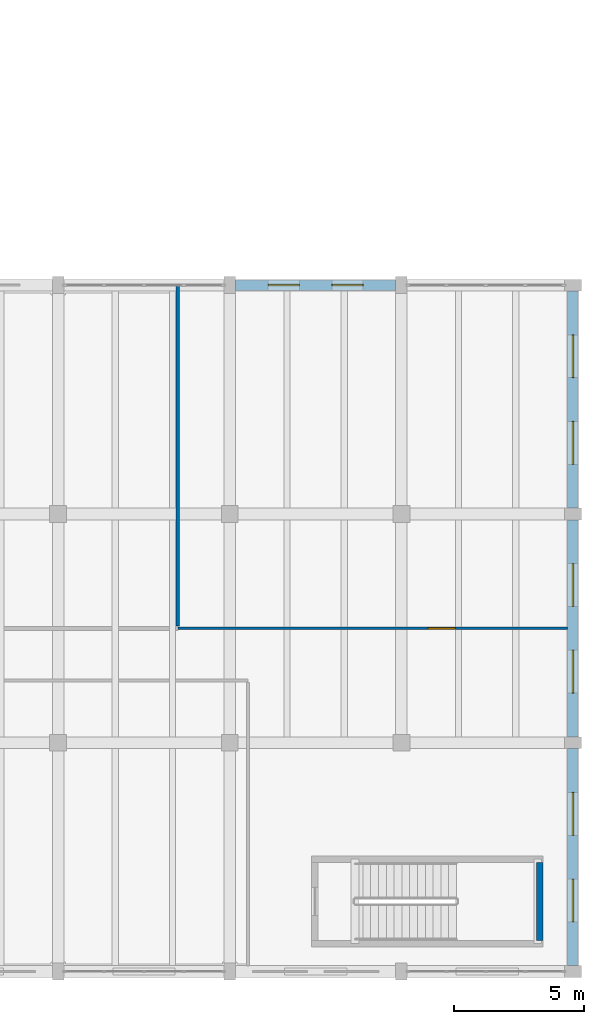
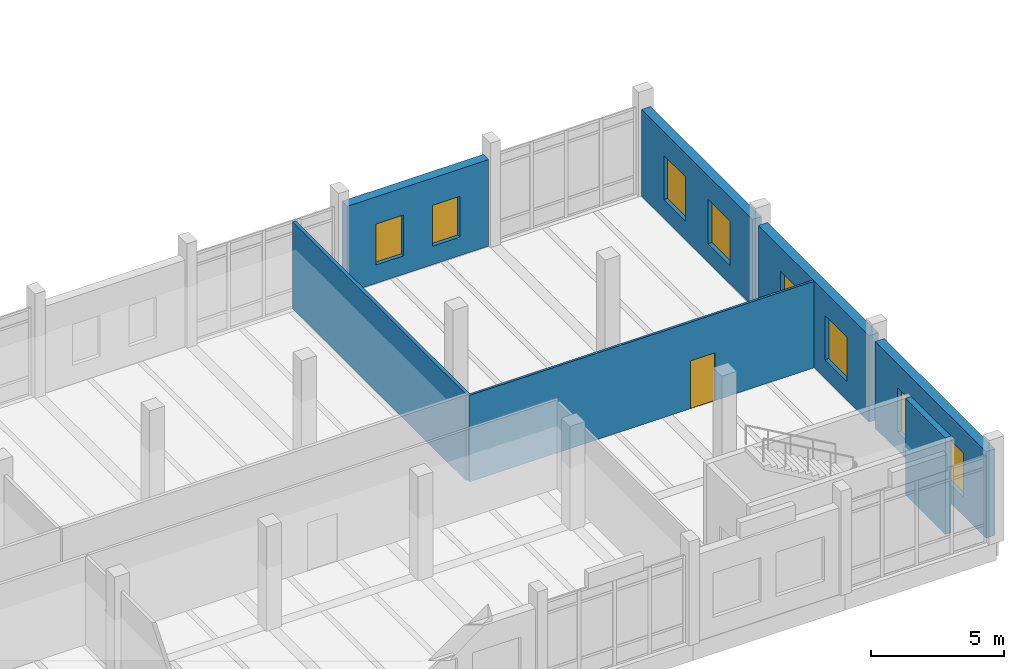
# One storey, part 76 of 101: 8 windows, 7 walls, 1 door, 9 openings.
"""IFC4 building model written with IfcOpenShell, lengths in metres."""

from ifc_helpers import new_model, si_unit, direction, frame, frame_2d, origin, place, context, subcontext, project, spatial, rectangle, extrude, material, layer, layer_set, type_object, element, fill, save


model = new_model("IFC4")

# Units and contexts
model_context = context("Model", 3, precision=1e-05, world=origin(), true_north=direction((0.0, 1.0)))
body_context = subcontext(model_context, "Body", "Model", "MODEL_VIEW")
ifc_project = project(units=[si_unit("LENGTHUNIT", "METRE"), si_unit("AREAUNIT", "SQUARE_METRE"), si_unit("VOLUMEUNIT", "CUBIC_METRE"), si_unit("PLANEANGLEUNIT", "RADIAN"), si_unit("MASSUNIT", "GRAM", prefix="KILO")], contexts=[model_context])

# Site, building, storey
site_placement = place(None, origin())
site = spatial("IfcSite", under=ifc_project, at=site_placement, CompositionType="ELEMENT")
building_placement = place(site_placement, origin())
building = spatial("IfcBuilding", under=site, at=building_placement, Name="Dornvale Research Institute", CompositionType="ELEMENT")
storey_placement = place(building_placement, frame((0.0, 0.0, 10.199951171875)))
storey = spatial("IfcBuildingStorey", under=building, at=storey_placement, Name="L02", CompositionType="ELEMENT", Elevation=10.199951171875)

# Wall
ifc_material_1 = material(Name="Acoustic Insulated Double-Stud Laboratory Partition")
ifc_layer_1 = layer(ifc_material_1, 0.14990234375)
ifc_layer_set_1 = layer_set([ifc_layer_1], Name="Acoustic Insulated Double-Stud Laboratory Partition")
wall_type_1 = type_object("IfcWallType", Name="Partition_Lab_150", PredefinedType="PARTITIONING", material=ifc_layer_set_1)
wall_1_placement = place(storey_placement, frame((163.0, 13.2900390625, 0.0), z_axis=(0.0, 0.0, 1.0), x_axis=(0.0, 1.0, 0.0)))
element("IfcWall", 1, at=wall_1_placement, inside=storey, type_object=wall_type_1, Name="L02 V3 interior partition #300", PredefinedType="PARTITIONING", context=body_context, shape_type="SweptSolid", body=[
    extrude(rectangle(XDim=13.070068359375, YDim=0.14990234375, at=frame_2d((6.53515625, 0.0))), origin(), (0.0, 0.0, 1.0), 3.97998046875),
])

# Wall, opening, door
ifc_material_2 = material(Name="Acoustic Insulated Double-Stud Laboratory Partition")
ifc_layer_2 = layer(ifc_material_2, 0.10009765625)
ifc_layer_set_2 = layer_set([ifc_layer_2], Name="Acoustic Insulated Double-Stud Laboratory Partition")
wall_type_2 = type_object("IfcWallType", Name="Partition_Office_100", PredefinedType="PARTITIONING", material=ifc_layer_set_2)
wall_2_placement = place(storey_placement, frame((163.014892578125, 13.199951171875, 0.0), z_axis=(0.0, 0.0, 1.0), x_axis=(1.0, 0.0, 0.0)))
wall_2 = element("IfcWall", 2, at=wall_2_placement, inside=storey, type_object=wall_type_2, Name="L02 V3 interior partition #301", PredefinedType="PARTITIONING", context=body_context, shape_type="SweptSolid", body=[
    extrude(rectangle(XDim=14.97021484375, YDim=0.10009765625, at=frame_2d((7.485107421875, 0.0))), origin(), (0.0, 0.0, 1.0), 3.97998046875),
])
opening_1_placement = place(wall_2_placement, frame((9.60498046875, 0.0, 0.0)))
opening_1 = element("IfcOpeningElement", 3, at=opening_1_placement, cuts=wall_2, Name="Opening ID-19", PredefinedType="OPENING", context=body_context, shape_type="SweptSolid", body=[
    extrude(rectangle(XDim=1.06005859375, YDim=2.199951171875, at=frame_2d((0.530029296875, 1.10009765625))), frame((0.0, 0.06494140625, 0.0), z_axis=(0.0, -1.0, 0.0), x_axis=(1.0, 0.0, 0.0)), (0.0, 0.0, 1.0), 0.130126953125),
])
ifc_material_3 = material(Name="Phenolic-Faced Solid-Core Laboratory Door Assembly")
door_type = type_object("IfcDoorType", Name="Door_WriteUp_1060x2200", OperationType="SINGLE_SWING_LEFT", PredefinedType="DOOR", material=ifc_material_3)
door_placement = place(opening_1_placement, origin())
door = element("IfcDoor", 4, at=door_placement, inside=storey, type_object=door_type, Name="L02 Nanofabrication Seminar and Write-Up Room L02 door #121", OperationType="SINGLE_SWING_RIGHT", OverallHeight=2.199951171875, OverallWidth=1.06005859375, PredefinedType="DOOR", context=body_context, shape_type="SweptSolid", body=[
    extrude(rectangle(XDim=1.06005859375, YDim=2.199951171875, at=frame_2d((0.530029296875, 1.10009765625))), frame((0.0, 0.02490234375, 0.0), z_axis=(0.0, -1.0, 0.0), x_axis=(1.0, 0.0, 0.0)), (0.0, 0.0, 1.0), 0.050048828125),
])
fill(opening_1, door)

# Wall
ifc_material_4 = material(Name="Concrete f'c 45 MPa (C35/45)", Category="concrete")
ifc_layer_3 = layer(ifc_material_4, 0.25)
ifc_layer_set_3 = layer_set([ifc_layer_3], Name="Concrete f'c 45 MPa (C35/45)")
wall_type_3 = type_object("IfcWallType", Name="ShearWall_Core_250", PredefinedType="SHEAR", material=ifc_layer_set_3)
wall_3_placement = place(storey_placement, frame((176.925048828125, 1.199951171875, 0.0), z_axis=(0.0, 0.0, 1.0), x_axis=(0.0, 1.0, 0.0)))
element("IfcWall", 5, at=wall_3_placement, inside=storey, type_object=wall_type_3, Name="L02 ST-6 shaft shear wall east", PredefinedType="SHEAR", context=body_context, shape_type="SweptSolid", body=[
    extrude(rectangle(XDim=3.0, YDim=0.25, at=frame_2d((1.5, 0.0))), origin(), (0.0, 0.0, 1.0), 4.43994140625),
])

# Wall, openings, windows
ifc_material_5 = material(Name="Precast Concrete f'c 40 MPa (C32/40) and Glazed Terracotta Backup Wall", Category="masonry")
ifc_layer_4 = layer(ifc_material_5, 0.39990234375)
ifc_layer_set_4 = layer_set([ifc_layer_4], Name="Precast Concrete f'c 40 MPa (C32/40) and Glazed Terracotta Backup Wall")
wall_type_4 = type_object("IfcWallType", Name="StandardWall_CleanroomExt_400", PredefinedType="STANDARD", material=ifc_layer_set_4)
wall_4_placement = place(storey_placement, frame((165.22509765625, 26.39990234375, 0.0), z_axis=(0.0, 0.0, 1.0), x_axis=(1.0, 0.0, 0.0)))
wall_4 = element("IfcWall", 6, at=wall_4_placement, inside=storey, type_object=wall_type_4, Name="L02 V3 north exterior wall #156", PredefinedType="STANDARD", context=body_context, shape_type="SweptSolid", body=[
    extrude(rectangle(XDim=6.14990234375, YDim=0.39990234375, at=frame_2d((3.074951171875, 0.0))), origin(), (0.0, 0.0, 1.0), 3.97998046875),
])
opening_2_placement = place(wall_4_placement, frame((1.25, 0.0, 0.85009765625)))
opening_2 = element("IfcOpeningElement", 7, at=opening_2_placement, cuts=wall_4, Name="Opening W-25", PredefinedType="OPENING", context=body_context, shape_type="SweptSolid", body=[
    extrude(rectangle(XDim=1.199951171875, YDim=1.8798828125, at=frame_2d((0.60009765625, 0.93994140625))), frame((0.0, 0.21484375, 0.0), z_axis=(0.0, -1.0, 0.0), x_axis=(1.0, 0.0, 0.0)), (0.0, 0.0, 1.0), 0.429931640625),
])
opening_3_placement = place(wall_4_placement, frame((3.699951171875, 0.0, 0.85009765625)))
opening_3 = element("IfcOpeningElement", 8, at=opening_3_placement, cuts=wall_4, Name="Opening W-25", PredefinedType="OPENING", context=body_context, shape_type="SweptSolid", body=[
    extrude(rectangle(XDim=1.199951171875, YDim=1.8798828125, at=frame_2d((0.60009765625, 0.93994140625))), frame((0.0, 0.21484375, 0.0), z_axis=(0.0, -1.0, 0.0), x_axis=(1.0, 0.0, 0.0)), (0.0, 0.0, 1.0), 0.429931640625),
])
ifc_material_6 = material(Name="Low-E Argon Double Insulating Glazing Unit", Category="glass")
window_type_1 = type_object("IfcWindowType", Name="Window_Alu_1200x1880_25", PartitioningType="SINGLE_PANEL", PredefinedType="WINDOW", material=ifc_material_6)
window_1_placement = place(opening_2_placement, origin())
window_1 = element("IfcWindow", 9, at=window_1_placement, inside=storey, type_object=window_type_1, Name="L02 V3 facade window W-25 #202", OverallHeight=1.8798828125, OverallWidth=1.199951171875, PartitioningType="SINGLE_PANEL", PredefinedType="WINDOW", context=body_context, shape_type="SweptSolid", body=[
    extrude(rectangle(XDim=1.199951171875, YDim=1.8798828125, at=frame_2d((0.60009765625, 0.93994140625))), frame((0.0, 0.030029296875, 0.0), z_axis=(0.0, -1.0, 0.0), x_axis=(1.0, 0.0, 0.0)), (0.0, 0.0, 1.0), 0.06005859375),
])
fill(opening_2, window_1)
window_2_placement = place(opening_3_placement, origin())
window_2 = element("IfcWindow", 10, at=window_2_placement, inside=storey, type_object=window_type_1, Name="L02 V3 facade window W-25 #203", OverallHeight=1.8798828125, OverallWidth=1.199951171875, PartitioningType="SINGLE_PANEL", PredefinedType="WINDOW", context=body_context, shape_type="SweptSolid", body=[
    extrude(rectangle(XDim=1.199951171875, YDim=1.8798828125, at=frame_2d((0.60009765625, 0.93994140625))), frame((0.0, 0.030029296875, 0.0), z_axis=(0.0, -1.0, 0.0), x_axis=(1.0, 0.0, 0.0)), (0.0, 0.0, 1.0), 0.06005859375),
])
fill(opening_3, window_2)

wall_5_placement = place(storey_placement, frame((178.199951171875, 26.175048828125, 0.0), z_axis=(0.0, 0.0, 1.0), x_axis=(0.0, -1.0, 0.0)))
wall_5 = element("IfcWall", 11, at=wall_5_placement, inside=storey, type_object=wall_type_4, Name="L02 V3 east exterior wall #157", PredefinedType="STANDARD", context=body_context, shape_type="SweptSolid", body=[
    extrude(rectangle(XDim=8.35009765625, YDim=0.39990234375, at=frame_2d((4.175048828125, 0.0))), origin(), (0.0, 0.0, 1.0), 3.97998046875),
])
opening_4_placement = place(wall_5_placement, frame((1.683349609375, 0.0, 0.85009765625)))
opening_4 = element("IfcOpeningElement", 12, at=opening_4_placement, cuts=wall_5, Name="Opening W-28", PredefinedType="OPENING", context=body_context, shape_type="SweptSolid", body=[
    extrude(rectangle(XDim=1.64990234375, YDim=2.0400390625, at=frame_2d((0.824951171875, 1.02001953125))), frame((0.0, 0.21484375, 0.0), z_axis=(0.0, -1.0, 0.0), x_axis=(1.0, 0.0, 0.0)), (0.0, 0.0, 1.0), 0.429931640625),
])
opening_5_placement = place(wall_5_placement, frame((5.0166015625, 0.0, 0.85009765625)))
opening_5 = element("IfcOpeningElement", 13, at=opening_5_placement, cuts=wall_5, Name="Opening W-28", PredefinedType="OPENING", context=body_context, shape_type="SweptSolid", body=[
    extrude(rectangle(XDim=1.64990234375, YDim=2.0400390625, at=frame_2d((0.824951171875, 1.02001953125))), frame((0.0, 0.21484375, 0.0), z_axis=(0.0, -1.0, 0.0), x_axis=(1.0, 0.0, 0.0)), (0.0, 0.0, 1.0), 0.429931640625),
])
ifc_material_7 = material(Name="Low-E Argon Double Insulating Glazing Unit", Category="glass")
window_type_2 = type_object("IfcWindowType", Name="Window_Alu_1650x2040_28", PartitioningType="SINGLE_PANEL", PredefinedType="WINDOW", material=ifc_material_7)
window_3_placement = place(opening_4_placement, origin())
window_3 = element("IfcWindow", 14, at=window_3_placement, inside=storey, type_object=window_type_2, Name="L02 V3 facade window W-28 #204", OverallHeight=2.0400390625, OverallWidth=1.64990234375, PartitioningType="SINGLE_PANEL", PredefinedType="WINDOW", context=body_context, shape_type="SweptSolid", body=[
    extrude(rectangle(XDim=1.64990234375, YDim=2.0400390625, at=frame_2d((0.824951171875, 1.02001953125))), frame((0.0, 0.030029296875, 0.0), z_axis=(0.0, -1.0, 0.0), x_axis=(1.0, 0.0, 0.0)), (0.0, 0.0, 1.0), 0.06005859375),
])
fill(opening_4, window_3)
window_4_placement = place(opening_5_placement, origin())
window_4 = element("IfcWindow", 15, at=window_4_placement, inside=storey, type_object=window_type_2, Name="L02 V3 facade window W-28 #205", OverallHeight=2.0400390625, OverallWidth=1.64990234375, PartitioningType="SINGLE_PANEL", PredefinedType="WINDOW", context=body_context, shape_type="SweptSolid", body=[
    extrude(rectangle(XDim=1.64990234375, YDim=2.0400390625, at=frame_2d((0.824951171875, 1.02001953125))), frame((0.0, 0.030029296875, 0.0), z_axis=(0.0, -1.0, 0.0), x_axis=(1.0, 0.0, 0.0)), (0.0, 0.0, 1.0), 0.06005859375),
])
fill(opening_5, window_4)

wall_6_placement = place(storey_placement, frame((178.199951171875, 17.375, 0.0), z_axis=(0.0, 0.0, 1.0), x_axis=(0.0, -1.0, 0.0)))
wall_6 = element("IfcWall", 16, at=wall_6_placement, inside=storey, type_object=wall_type_4, Name="L02 V3 east exterior wall #158", PredefinedType="STANDARD", context=body_context, shape_type="SweptSolid", body=[
    extrude(rectangle(XDim=8.35009765625, YDim=0.39990234375, at=frame_2d((4.175048828125, 0.0))), origin(), (0.0, 0.0, 1.0), 3.97998046875),
])
opening_6_placement = place(wall_6_placement, frame((1.683349609375, 0.0, 0.85009765625)))
opening_6 = element("IfcOpeningElement", 17, at=opening_6_placement, cuts=wall_6, Name="Opening W-28", PredefinedType="OPENING", context=body_context, shape_type="SweptSolid", body=[
    extrude(rectangle(XDim=1.64990234375, YDim=2.0400390625, at=frame_2d((0.824951171875, 1.02001953125))), frame((0.0, 0.21484375, 0.0), z_axis=(0.0, -1.0, 0.0), x_axis=(1.0, 0.0, 0.0)), (0.0, 0.0, 1.0), 0.429931640625),
])
opening_7_placement = place(wall_6_placement, frame((5.0166015625, 0.0, 0.85009765625)))
opening_7 = element("IfcOpeningElement", 18, at=opening_7_placement, cuts=wall_6, Name="Opening W-28", PredefinedType="OPENING", context=body_context, shape_type="SweptSolid", body=[
    extrude(rectangle(XDim=1.64990234375, YDim=2.0400390625, at=frame_2d((0.824951171875, 1.02001953125))), frame((0.0, 0.21484375, 0.0), z_axis=(0.0, -1.0, 0.0), x_axis=(1.0, 0.0, 0.0)), (0.0, 0.0, 1.0), 0.429931640625),
])
window_5_placement = place(opening_6_placement, origin())
window_5 = element("IfcWindow", 19, at=window_5_placement, inside=storey, type_object=window_type_2, Name="L02 V3 facade window W-28 #206", OverallHeight=2.0400390625, OverallWidth=1.64990234375, PartitioningType="SINGLE_PANEL", PredefinedType="WINDOW", context=body_context, shape_type="SweptSolid", body=[
    extrude(rectangle(XDim=1.64990234375, YDim=2.0400390625, at=frame_2d((0.824951171875, 1.02001953125))), frame((0.0, 0.030029296875, 0.0), z_axis=(0.0, -1.0, 0.0), x_axis=(1.0, 0.0, 0.0)), (0.0, 0.0, 1.0), 0.06005859375),
])
fill(opening_6, window_5)
window_6_placement = place(opening_7_placement, origin())
window_6 = element("IfcWindow", 20, at=window_6_placement, inside=storey, type_object=window_type_2, Name="L02 V3 facade window W-28 #207", OverallHeight=2.0400390625, OverallWidth=1.64990234375, PartitioningType="SINGLE_PANEL", PredefinedType="WINDOW", context=body_context, shape_type="SweptSolid", body=[
    extrude(rectangle(XDim=1.64990234375, YDim=2.0400390625, at=frame_2d((0.824951171875, 1.02001953125))), frame((0.0, 0.030029296875, 0.0), z_axis=(0.0, -1.0, 0.0), x_axis=(1.0, 0.0, 0.0)), (0.0, 0.0, 1.0), 0.06005859375),
])
fill(opening_7, window_6)

wall_7_placement = place(storey_placement, frame((178.199951171875, 8.574951171875, 0.0), z_axis=(0.0, 0.0, 1.0), x_axis=(0.0, -1.0, 0.0)))
wall_7 = element("IfcWall", 21, at=wall_7_placement, inside=storey, type_object=wall_type_4, Name="L02 V3 east exterior wall #159", PredefinedType="STANDARD", context=body_context, shape_type="SweptSolid", body=[
    extrude(rectangle(XDim=8.349853515625, YDim=0.39990234375, at=frame_2d((4.1748046875, 0.0))), origin(), (0.0, 0.0, 1.0), 3.97998046875),
])
opening_8_placement = place(wall_7_placement, frame((1.683349609375, 0.0, 0.85009765625)))
opening_8 = element("IfcOpeningElement", 22, at=opening_8_placement, cuts=wall_7, Name="Opening W-28", PredefinedType="OPENING", context=body_context, shape_type="SweptSolid", body=[
    extrude(rectangle(XDim=1.64990234375, YDim=2.0400390625, at=frame_2d((0.824951171875, 1.02001953125))), frame((0.0, 0.21484375, 0.0), z_axis=(0.0, -1.0, 0.0), x_axis=(1.0, 0.0, 0.0)), (0.0, 0.0, 1.0), 0.429931640625),
])
opening_9_placement = place(wall_7_placement, frame((5.0166015625, 0.0, 0.85009765625)))
opening_9 = element("IfcOpeningElement", 23, at=opening_9_placement, cuts=wall_7, Name="Opening W-28", PredefinedType="OPENING", context=body_context, shape_type="SweptSolid", body=[
    extrude(rectangle(XDim=1.64990234375, YDim=2.0400390625, at=frame_2d((0.824951171875, 1.02001953125))), frame((0.0, 0.21484375, 0.0), z_axis=(0.0, -1.0, 0.0), x_axis=(1.0, 0.0, 0.0)), (0.0, 0.0, 1.0), 0.429931640625),
])
window_7_placement = place(opening_8_placement, origin())
window_7 = element("IfcWindow", 24, at=window_7_placement, inside=storey, type_object=window_type_2, Name="L02 V3 facade window W-28 #208", OverallHeight=2.0400390625, OverallWidth=1.64990234375, PartitioningType="SINGLE_PANEL", PredefinedType="WINDOW", context=body_context, shape_type="SweptSolid", body=[
    extrude(rectangle(XDim=1.64990234375, YDim=2.0400390625, at=frame_2d((0.824951171875, 1.02001953125))), frame((0.0, 0.030029296875, 0.0), z_axis=(0.0, -1.0, 0.0), x_axis=(1.0, 0.0, 0.0)), (0.0, 0.0, 1.0), 0.06005859375),
])
fill(opening_8, window_7)
window_8_placement = place(opening_9_placement, origin())
window_8 = element("IfcWindow", 25, at=window_8_placement, inside=storey, type_object=window_type_2, Name="L02 V3 facade window W-28 #209", OverallHeight=2.0400390625, OverallWidth=1.64990234375, PartitioningType="SINGLE_PANEL", PredefinedType="WINDOW", context=body_context, shape_type="SweptSolid", body=[
    extrude(rectangle(XDim=1.64990234375, YDim=2.0400390625, at=frame_2d((0.824951171875, 1.02001953125))), frame((0.0, 0.030029296875, 0.0), z_axis=(0.0, -1.0, 0.0), x_axis=(1.0, 0.0, 0.0)), (0.0, 0.0, 1.0), 0.06005859375),
])
fill(opening_9, window_8)

save(model, "model.ifc")
